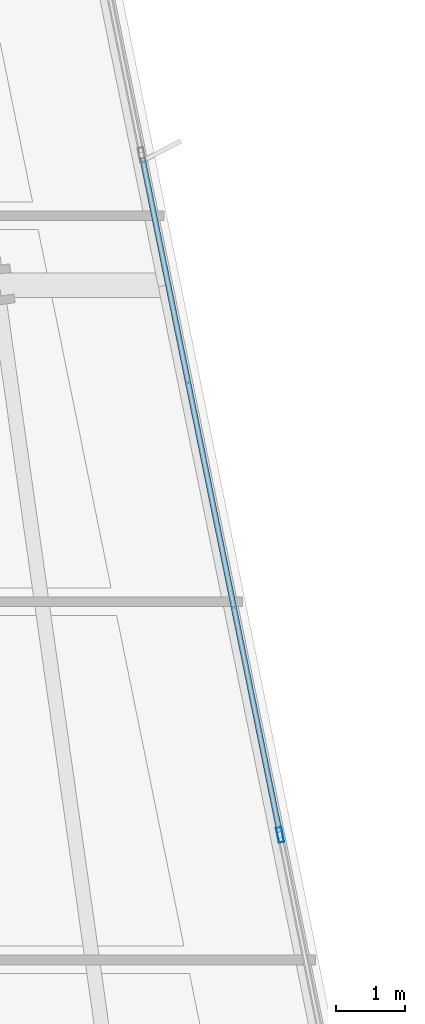
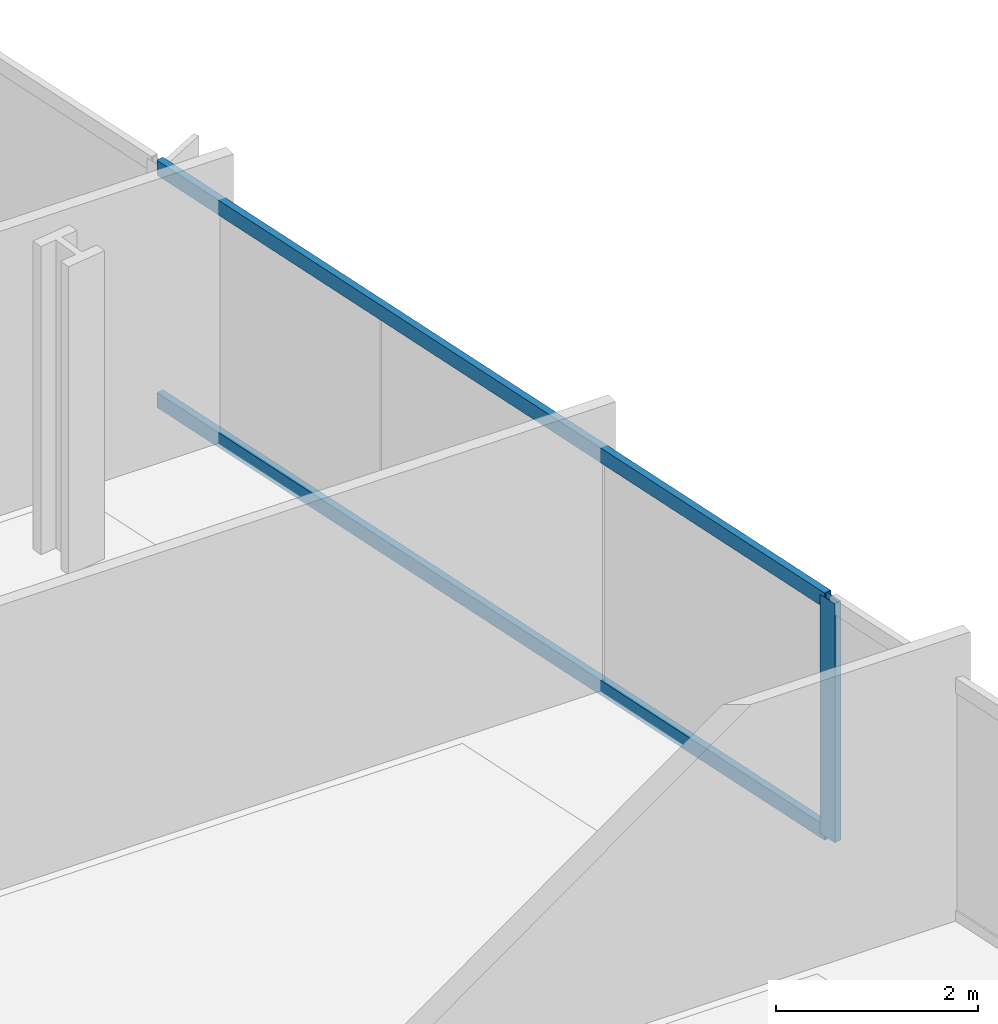
# One storey, part 12 of 33: 3 members, 1 element without a shape of its own.
"""IFC4 building model written with IfcOpenShell, lengths in metres."""

from ifc_helpers import new_model, si_unit, direction, frame, origin, origin_2d, place, context, subcontext, project, spatial, hollow_rectangle, extrude, material, material_profile, profile_set, type_object, element, aggregate, save


model = new_model("IFC4")

# Units and contexts
model_context = context("Model", 3, precision=1e-05, world=origin(), true_north=direction((0.0, 1.0)))
body_context = subcontext(model_context, "Body", "Model", "MODEL_VIEW")
ifc_project = project(units=[si_unit("LENGTHUNIT", "METRE"), si_unit("AREAUNIT", "SQUARE_METRE"), si_unit("VOLUMEUNIT", "CUBIC_METRE"), si_unit("PLANEANGLEUNIT", "RADIAN"), si_unit("MASSUNIT", "GRAM", prefix="KILO")], contexts=[model_context])

# Site, building, storey
site_placement = place(None, origin())
site = spatial("IfcSite", under=ifc_project, at=site_placement, CompositionType="ELEMENT")
building_placement = place(site_placement, origin())
building = spatial("IfcBuilding", under=site, at=building_placement, Name="Haldenkirk Collegiate Tower", CompositionType="ELEMENT")
storey_placement = place(building_placement, frame((0.0, 0.0, 66.449951171875)))
storey = spatial("IfcBuildingStorey", under=building, at=storey_placement, Name="L15", CompositionType="ELEMENT", Elevation=66.449951171875)

# Curtain wall, members
ifc_material = material(Name="Anodised architectural bronze aluminium", Category="aluminium")
curtain_wall_type = type_object("IfcCurtainWallType", Name="CW-SYS1-CONVEX-LOW", PredefinedType="USERDEFINED", material=ifc_material)
curtain_wall_placement = place(storey_placement, origin())
curtain_wall = element("IfcCurtainWall", 1, at=curtain_wall_placement, inside=storey, type_object=curtain_wall_type, Name="L15 Lower tower convex bronze-framed unitised curtain wall", ObjectType="UNITISED CURTAIN WALL", PredefinedType="USERDEFINED")
ifc_material_profile_1 = material_profile(ifc_material, hollow_rectangle(XDim=0.080078125, YDim=0.219970703125, WallThickness=0.0048828125, at=origin_2d()), Name="CW-MUL-1A")
ifc_profile_set_1 = profile_set([ifc_material_profile_1], Name="Anodised architectural bronze aluminium")
member_type_1 = type_object("IfcMemberType", Name="CW-MUL-1A", PredefinedType="MULLION", material=ifc_profile_set_1)
member_1_placement = place(storey_placement, frame((63.86376953125, 21.81494140625, 0.0), z_axis=(0.0, 0.0, 1.0), x_axis=(0.979924462932, 0.199369122351, 0.0)))
member_1 = element("IfcMember", 2, at=member_1_placement, type_object=member_type_1, Name="CW-1A mullion 4", PredefinedType="MULLION", context=body_context, shape_type="SweptSolid", body=[
    extrude(hollow_rectangle(XDim=0.080078125, YDim=0.219970703125, WallThickness=0.0048828125, at=origin_2d()), origin(), (0.0, 0.0, 1.0), 2.89111328125),
])
ifc_material_profile_2 = material_profile(ifc_material, hollow_rectangle(XDim=0.080078125, YDim=0.179931640625, WallThickness=0.0048828125, at=origin_2d()), Name="CW-TRN-1A")
ifc_profile_set_2 = profile_set([ifc_material_profile_2], Name="Anodised architectural bronze aluminium")
member_type_2 = type_object("IfcMemberType", Name="CW-TRN-1A", PredefinedType="USERDEFINED", material=ifc_profile_set_2)
member_2_placement = place(storey_placement, frame((61.8642578125, 31.642333984375, 0.0400390625), z_axis=(0.199367628352, -0.97992476689, 0.0), x_axis=(0.97992476689, 0.199367628352, 0.0)))
member_2 = element("IfcMember", 3, at=member_2_placement, type_object=member_type_2, Name="CW-1A transom 3.1", ObjectType="TRANSOM", PredefinedType="USERDEFINED", context=body_context, shape_type="SweptSolid", body=[
    extrude(hollow_rectangle(XDim=0.080078125, YDim=0.179931640625, WallThickness=0.0048828125, at=origin_2d()), origin(), (0.0, 0.0, 1.0), 9.98876953125),
])
member_3_placement = place(storey_placement, frame((61.8642578125, 31.642333984375, 2.85107421875), z_axis=(0.199367628352, -0.97992476689, 0.0), x_axis=(0.97992476689, 0.199367628352, 0.0)))
member_3 = element("IfcMember", 4, at=member_3_placement, type_object=member_type_2, Name="CW-1A transom 3.2", ObjectType="TRANSOM", PredefinedType="USERDEFINED", context=body_context, shape_type="SweptSolid", body=[
    extrude(hollow_rectangle(XDim=0.080078125, YDim=0.179931640625, WallThickness=0.0048828125, at=origin_2d()), origin(), (0.0, 0.0, 1.0), 9.98876953125),
])
aggregate(curtain_wall, [member_1, member_2, member_3])

save(model, "model.ifc")
